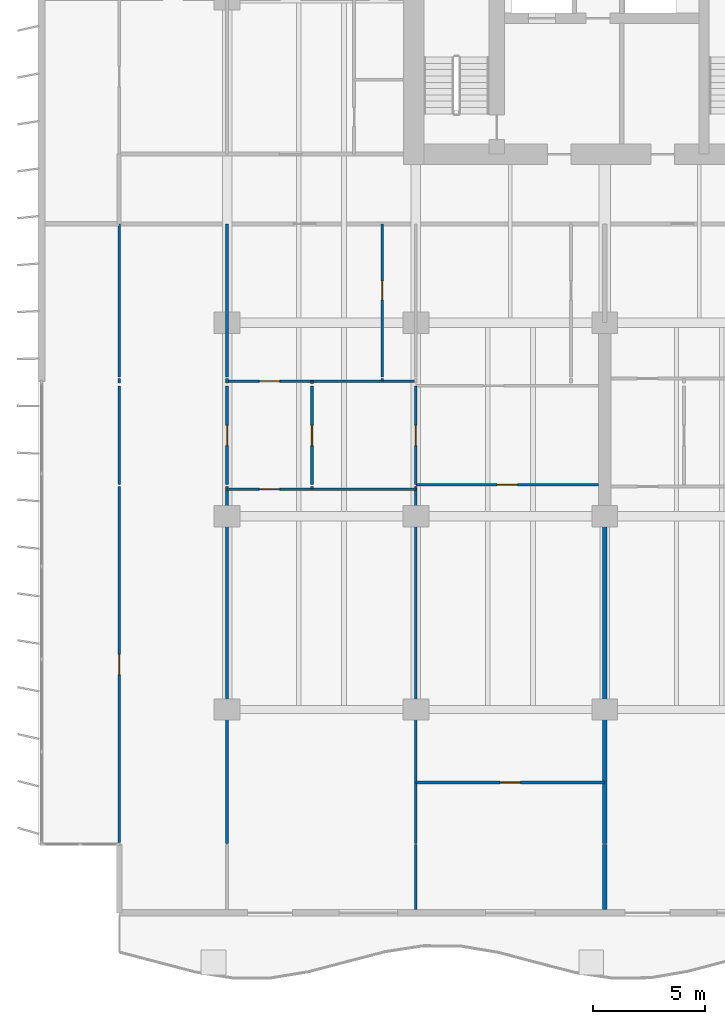
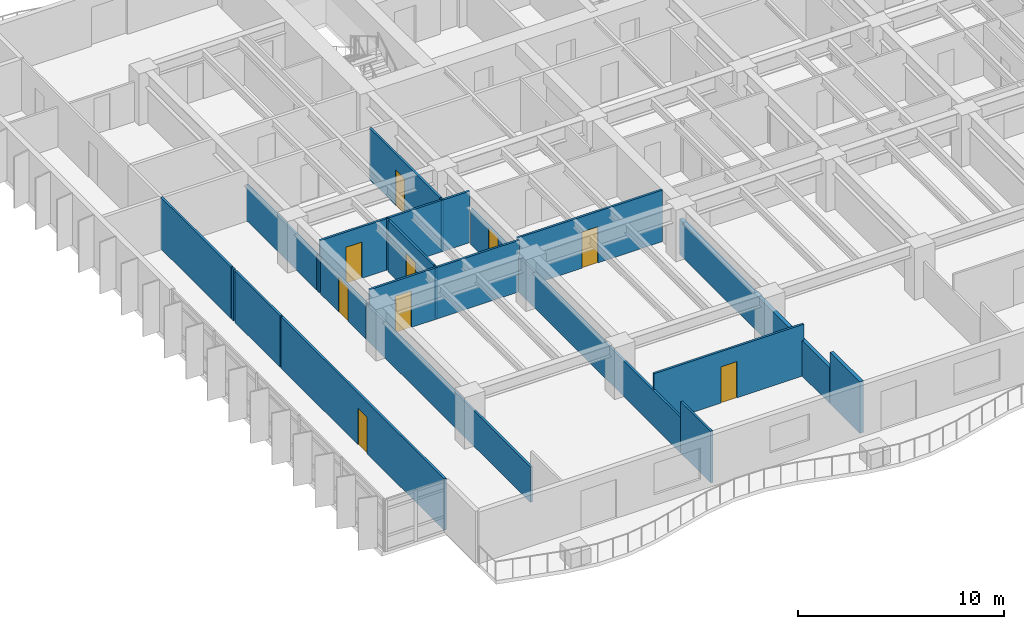
# One storey, part 6 of 17: 22 walls, 9 doors, 9 openings.
"""IFC4 building model written with IfcOpenShell, lengths in metres."""

from ifc_helpers import new_model, si_unit, direction, frame, frame_2d, origin, place, context, subcontext, project, spatial, rectangle, extrude, material, layer, layer_set, type_object, element, fill, save


model = new_model("IFC4")

# Units and contexts
model_context = context("Model", 3, precision=1e-05, world=origin(), true_north=direction((0.0, 1.0)))
body_context = subcontext(model_context, "Body", "Model", "MODEL_VIEW")
ifc_project = project(units=[si_unit("LENGTHUNIT", "METRE"), si_unit("AREAUNIT", "SQUARE_METRE"), si_unit("VOLUMEUNIT", "CUBIC_METRE"), si_unit("PLANEANGLEUNIT", "RADIAN"), si_unit("MASSUNIT", "GRAM", prefix="KILO")], contexts=[model_context])

# Site, building, storey
site_placement = place(None, origin())
site = spatial("IfcSite", under=ifc_project, at=site_placement, CompositionType="ELEMENT")
building_placement = place(site_placement, origin())
building = spatial("IfcBuilding", under=site, at=building_placement, Name="Caelmar Bay Residences", CompositionType="ELEMENT")
storey_placement = place(building_placement, frame((0.0, 0.0, 59.699951171875)))
storey = spatial("IfcBuildingStorey", under=building, at=storey_placement, Name="L15", CompositionType="ELEMENT", Elevation=59.699951171875)

# Wall, opening, door
ifc_material_1 = material(Name="Acoustic metal-stud gypsum partition 120 mm")
ifc_layer_1 = layer(ifc_material_1, 0.1201171875)
ifc_layer_set_1 = layer_set([ifc_layer_1], Name="Acoustic metal-stud gypsum partition 120 mm")
wall_type_1 = type_object("IfcWallType", Name="W-PRT-120", PredefinedType="PARTITIONING", material=ifc_layer_set_1)
wall_1_placement = place(storey_placement, frame((5.10009765625, 6.284912109375, 0.0), z_axis=(0.0, 0.0, 1.0), x_axis=(0.0, 1.0, 0.0)))
wall_1 = element("IfcWall", 1, at=wall_1_placement, inside=storey, type_object=wall_type_1, Name="L15 Partition Wall V001", PredefinedType="PARTITIONING", context=body_context, shape_type="SweptSolid", body=[
    extrude(rectangle(XDim=15.835205078125, YDim=0.1201171875, at=frame_2d((7.91748046875, 0.0))), origin(), (0.0, 0.0, 1.0), 3.050048828125),
])
opening_1_placement = place(wall_1_placement, frame((7.467529296875, 0.0, 0.0)))
opening_1 = element("IfcOpeningElement", 2, at=opening_1_placement, cuts=wall_1, Name="Opening D-L15-164", PredefinedType="OPENING", context=body_context, shape_type="SweptSolid", body=[
    extrude(rectangle(XDim=0.89990234375, YDim=2.14990234375, at=frame_2d((0.449951171875, 1.074951171875))), frame((0.0, 0.070068359375, 0.0), z_axis=(0.0, -1.0, 0.0), x_axis=(1.0, 0.0, 0.0)), (0.0, 0.0, 1.0), 0.14013671875),
])
ifc_material_2 = material(Name="Solid walnut timber interior door leaf and frame", Category="wood")
ifc_layer_2 = layer(ifc_material_2, 0.050048828125)
ifc_layer_set_2 = layer_set([ifc_layer_2], Name="Solid walnut timber interior door leaf and frame")
door_type_1 = type_object("IfcDoorType", Name="D-ROOM-900", OperationType="NOTDEFINED", PredefinedType="DOOR", material=ifc_layer_set_2)
door_1_placement = place(opening_1_placement, origin())
door_1 = element("IfcDoor", 3, at=door_1_placement, inside=storey, type_object=door_type_1, Name="L15 Residence 01 Penthouse West Salon Door", OperationType="SINGLE_SWING_LEFT", OverallHeight=2.14990234375, OverallWidth=0.89990234375, PredefinedType="DOOR", context=body_context, shape_type="SweptSolid", body=[
    extrude(rectangle(XDim=0.89990234375, YDim=2.14990234375, at=frame_2d((0.449951171875, 1.074951171875))), frame((0.0, 0.02490234375, 0.0), z_axis=(0.0, -1.0, 0.0), x_axis=(1.0, 0.0, 0.0)), (0.0, 0.0, 1.0), 0.050048828125),
])
fill(opening_1, door_1)

# Walls
wall_2_placement = place(storey_placement, frame((5.10009765625, 22.199951171875, 0.0), z_axis=(0.0, 0.0, 1.0), x_axis=(0.0, 1.0, 0.0)))
element("IfcWall", 4, at=wall_2_placement, inside=storey, type_object=wall_type_1, Name="L15 Partition Wall V002", PredefinedType="PARTITIONING", context=body_context, shape_type="SweptSolid", body=[
    extrude(rectangle(XDim=4.380126953125, YDim=0.1201171875, at=frame_2d((2.18994140625, 0.0))), origin(), (0.0, 0.0, 1.0), 3.050048828125),
])
wall_3_placement = place(storey_placement, frame((5.10009765625, 26.719970703125, 0.0), z_axis=(0.0, 0.0, 1.0), x_axis=(0.0, 1.0, 0.0)))
element("IfcWall", 5, at=wall_3_placement, inside=storey, type_object=wall_type_1, Name="L15 Partition Wall V003", PredefinedType="PARTITIONING", context=body_context, shape_type="SweptSolid", body=[
    extrude(rectangle(XDim=0.199951171875, YDim=0.1201171875, at=frame_2d((0.10009765625, 0.0))), origin(), (0.0, 0.0, 1.0), 3.050048828125),
])
wall_4_placement = place(storey_placement, frame((5.10009765625, 26.97998046875, 0.0), z_axis=(0.0, 0.0, 1.0), x_axis=(0.0, 1.0, 0.0)))
element("IfcWall", 6, at=wall_4_placement, inside=storey, type_object=wall_type_1, Name="L15 Partition Wall V004", PredefinedType="PARTITIONING", context=body_context, shape_type="SweptSolid", body=[
    extrude(rectangle(XDim=6.820068359375, YDim=0.1201171875, at=frame_2d((3.41015625, 0.0))), origin(), (0.0, 0.0, 1.0), 3.050048828125),
])
wall_5_placement = place(storey_placement, frame((9.89990234375, 6.239990234375, 0.0), z_axis=(0.0, 0.0, 1.0), x_axis=(0.0, 1.0, 0.0)))
element("IfcWall", 7, at=wall_5_placement, inside=storey, type_object=wall_type_1, Name="L15 Partition Wall V008", PredefinedType="PARTITIONING", context=body_context, shape_type="SweptSolid", body=[
    extrude(rectangle(XDim=15.880126953125, YDim=0.1201171875, at=frame_2d((7.93994140625, 0.0))), origin(), (0.0, 0.0, 1.0), 2.110107421875),
])

# Wall, opening, door
wall_6_placement = place(storey_placement, frame((9.89990234375, 22.199951171875, 0.0), z_axis=(0.0, 0.0, 1.0), x_axis=(0.0, 1.0, 0.0)))
wall_6 = element("IfcWall", 8, at=wall_6_placement, inside=storey, type_object=wall_type_1, Name="L15 Partition Wall V009", PredefinedType="PARTITIONING", context=body_context, shape_type="SweptSolid", body=[
    extrude(rectangle(XDim=4.380126953125, YDim=0.1201171875, at=frame_2d((2.18994140625, 0.0))), origin(), (0.0, 0.0, 1.0), 2.110107421875),
])
opening_2_placement = place(wall_6_placement, frame((1.739990234375, 0.0, 0.0)))
opening_2 = element("IfcOpeningElement", 9, at=opening_2_placement, cuts=wall_6, Name="Opening D-L15-131", PredefinedType="OPENING", context=body_context, shape_type="SweptSolid", body=[
    extrude(rectangle(XDim=0.89990234375, YDim=2.06005859375, at=frame_2d((0.449951171875, 1.030029296875))), frame((0.0, 0.070068359375, 0.0), z_axis=(0.0, -1.0, 0.0), x_axis=(1.0, 0.0, 0.0)), (0.0, 0.0, 1.0), 0.14013671875),
])
door_2_placement = place(opening_2_placement, origin())
door_2 = element("IfcDoor", 10, at=door_2_placement, inside=storey, type_object=door_type_1, Name="L15 Residence 01 West Apartment Hall Door", OperationType="SINGLE_SWING_RIGHT", OverallHeight=2.06005859375, OverallWidth=0.89990234375, PredefinedType="DOOR", context=body_context, shape_type="SweptSolid", body=[
    extrude(rectangle(XDim=0.89990234375, YDim=2.06005859375, at=frame_2d((0.449951171875, 1.030029296875))), frame((0.0, 0.02490234375, 0.0), z_axis=(0.0, -1.0, 0.0), x_axis=(1.0, 0.0, 0.0)), (0.0, 0.0, 1.0), 0.050048828125),
])
fill(opening_2, door_2)

# Walls
wall_7_placement = place(storey_placement, frame((9.89990234375, 26.719970703125, 0.0), z_axis=(0.0, 0.0, 1.0), x_axis=(0.0, 1.0, 0.0)))
element("IfcWall", 11, at=wall_7_placement, inside=storey, type_object=wall_type_1, Name="L15 Partition Wall V010", PredefinedType="PARTITIONING", context=body_context, shape_type="SweptSolid", body=[
    extrude(rectangle(XDim=0.199951171875, YDim=0.1201171875, at=frame_2d((0.10009765625, 0.0))), origin(), (0.0, 0.0, 1.0), 2.110107421875),
])
wall_8_placement = place(storey_placement, frame((9.89990234375, 26.97998046875, 0.0), z_axis=(0.0, 0.0, 1.0), x_axis=(0.0, 1.0, 0.0)))
element("IfcWall", 12, at=wall_8_placement, inside=storey, type_object=wall_type_1, Name="L15 Partition Wall V011", PredefinedType="PARTITIONING", context=body_context, shape_type="SweptSolid", body=[
    extrude(rectangle(XDim=6.820068359375, YDim=0.1201171875, at=frame_2d((3.41015625, 0.0))), origin(), (0.0, 0.0, 1.0), 2.110107421875),
])
wall_9_placement = place(storey_placement, frame((13.679931640625, 22.0, 0.0), z_axis=(0.0, 0.0, 1.0), x_axis=(0.0, 1.0, 0.0)))
element("IfcWall", 13, at=wall_9_placement, inside=storey, type_object=wall_type_1, Name="L15 Partition Wall V013", PredefinedType="PARTITIONING", context=body_context, shape_type="SweptSolid", body=[
    extrude(rectangle(XDim=0.1201171875, YDim=0.1201171875, at=frame_2d((0.06005859375, 0.0))), origin(), (0.0, 0.0, 1.0), 3.050048828125),
])

# Wall, opening, door
wall_10_placement = place(storey_placement, frame((13.679931640625, 22.199951171875, 0.0), z_axis=(0.0, 0.0, 1.0), x_axis=(0.0, 1.0, 0.0)))
wall_10 = element("IfcWall", 14, at=wall_10_placement, inside=storey, type_object=wall_type_1, Name="L15 Partition Wall V014", PredefinedType="PARTITIONING", context=body_context, shape_type="SweptSolid", body=[
    extrude(rectangle(XDim=4.380126953125, YDim=0.1201171875, at=frame_2d((2.18994140625, 0.0))), origin(), (0.0, 0.0, 1.0), 3.050048828125),
])
opening_3_placement = place(wall_10_placement, frame((1.739990234375, 0.0, 0.0)))
opening_3 = element("IfcOpeningElement", 15, at=opening_3_placement, cuts=wall_10, Name="Opening D-L15-124", PredefinedType="OPENING", context=body_context, shape_type="SweptSolid", body=[
    extrude(rectangle(XDim=0.89990234375, YDim=2.14990234375, at=frame_2d((0.449951171875, 1.074951171875))), frame((0.0, 0.070068359375, 0.0), z_axis=(0.0, -1.0, 0.0), x_axis=(1.0, 0.0, 0.0)), (0.0, 0.0, 1.0), 0.14013671875),
])
door_3_placement = place(opening_3_placement, origin())
door_3 = element("IfcDoor", 16, at=door_3_placement, inside=storey, type_object=door_type_1, Name="L15 Residence 01 Kitchen Door", OperationType="SINGLE_SWING_LEFT", OverallHeight=2.14990234375, OverallWidth=0.89990234375, PredefinedType="DOOR", context=body_context, shape_type="SweptSolid", body=[
    extrude(rectangle(XDim=0.89990234375, YDim=2.14990234375, at=frame_2d((0.449951171875, 1.074951171875))), frame((0.0, 0.02490234375, 0.0), z_axis=(0.0, -1.0, 0.0), x_axis=(1.0, 0.0, 0.0)), (0.0, 0.0, 1.0), 0.050048828125),
])
fill(opening_3, door_3)

# Walls
wall_11_placement = place(storey_placement, frame((13.679931640625, 26.719970703125, 0.0), z_axis=(0.0, 0.0, 1.0), x_axis=(0.0, 1.0, 0.0)))
element("IfcWall", 17, at=wall_11_placement, inside=storey, type_object=wall_type_1, Name="L15 Partition Wall V015", PredefinedType="PARTITIONING", context=body_context, shape_type="SweptSolid", body=[
    extrude(rectangle(XDim=0.080078125, YDim=0.1201171875, at=frame_2d((0.0400390625, 0.0))), origin(), (0.0, 0.0, 1.0), 3.050048828125),
])
wall_12_placement = place(storey_placement, frame((16.800048828125, 26.800048828125, 0.0), z_axis=(0.0, 0.0, 1.0), x_axis=(0.0, 1.0, 0.0)))
element("IfcWall", 18, at=wall_12_placement, inside=storey, type_object=wall_type_1, Name="L15 Partition Wall V017", PredefinedType="PARTITIONING", context=body_context, shape_type="SweptSolid", body=[
    extrude(rectangle(XDim=0.119873046875, YDim=0.1201171875, at=frame_2d((0.06005859375, 0.0))), origin(), (0.0, 0.0, 1.0), 3.050048828125),
])

# Wall, opening, door
wall_13_placement = place(storey_placement, frame((16.800048828125, 26.97998046875, 0.0), z_axis=(0.0, 0.0, 1.0), x_axis=(0.0, 1.0, 0.0)))
wall_13 = element("IfcWall", 19, at=wall_13_placement, inside=storey, type_object=wall_type_1, Name="L15 Partition Wall V018", PredefinedType="PARTITIONING", context=body_context, shape_type="SweptSolid", body=[
    extrude(rectangle(XDim=6.820068359375, YDim=0.1201171875, at=frame_2d((3.41015625, 0.0))), origin(), (0.0, 0.0, 1.0), 3.050048828125),
])
opening_4_placement = place(wall_13_placement, frame((3.43505859375, 0.0, 0.0)))
opening_4 = element("IfcOpeningElement", 20, at=opening_4_placement, cuts=wall_13, Name="Opening D-L15-122", PredefinedType="OPENING", context=body_context, shape_type="SweptSolid", body=[
    extrude(rectangle(XDim=0.85009765625, YDim=2.10009765625, at=frame_2d((0.425048828125, 1.050048828125))), frame((0.0, 0.070068359375, 0.0), z_axis=(0.0, -1.0, 0.0), x_axis=(1.0, 0.0, 0.0)), (0.0, 0.0, 1.0), 0.14013671875),
])
ifc_layer_3 = layer(ifc_material_2, 0.050048828125)
ifc_layer_set_3 = layer_set([ifc_layer_3], Name="Solid walnut timber interior door leaf and frame")
door_type_2 = type_object("IfcDoorType", Name="D-BATH-850", OperationType="NOTDEFINED", PredefinedType="DOOR", material=ifc_layer_set_3)
door_4_placement = place(opening_4_placement, origin())
door_4 = element("IfcDoor", 21, at=door_4_placement, inside=storey, type_object=door_type_2, Name="L15 Residence 01 Guest Bathroom Door", OperationType="SINGLE_SWING_LEFT", OverallHeight=2.10009765625, OverallWidth=0.85009765625, PredefinedType="DOOR", context=body_context, shape_type="SweptSolid", body=[
    extrude(rectangle(XDim=0.85009765625, YDim=2.10009765625, at=frame_2d((0.425048828125, 1.050048828125))), frame((0.0, 0.02490234375, 0.0), z_axis=(0.0, -1.0, 0.0), x_axis=(1.0, 0.0, 0.0)), (0.0, 0.0, 1.0), 0.050048828125),
])
fill(opening_4, door_4)

# Walls
wall_14_placement = place(storey_placement, frame((18.300048828125, 3.294921875, 0.0), z_axis=(0.0, 0.0, 1.0), x_axis=(0.0, 1.0, 0.0)))
element("IfcWall", 22, at=wall_14_placement, inside=storey, type_object=wall_type_1, Name="L15 Partition Wall V019", PredefinedType="PARTITIONING", context=body_context, shape_type="SweptSolid", body=[
    extrude(rectangle(XDim=2.905029296875, YDim=0.1201171875, at=frame_2d((1.45263671875, 0.0))), origin(), (0.0, 0.0, 1.0), 3.050048828125),
])
wall_15_placement = place(storey_placement, frame((18.300048828125, 6.239990234375, 0.0), z_axis=(0.0, 0.0, 1.0), x_axis=(0.0, 1.0, 0.0)))
element("IfcWall", 23, at=wall_15_placement, inside=storey, type_object=wall_type_1, Name="L15 Partition Wall V020", PredefinedType="PARTITIONING", context=body_context, shape_type="SweptSolid", body=[
    extrude(rectangle(XDim=15.880126953125, YDim=0.1201171875, at=frame_2d((7.93994140625, 0.0))), origin(), (0.0, 0.0, 1.0), 2.110107421875),
])

# Wall, opening, door
wall_16_placement = place(storey_placement, frame((18.300048828125, 22.199951171875, 0.0), z_axis=(0.0, 0.0, 1.0), x_axis=(0.0, 1.0, 0.0)))
wall_16 = element("IfcWall", 24, at=wall_16_placement, inside=storey, type_object=wall_type_1, Name="L15 Partition Wall V021", PredefinedType="PARTITIONING", context=body_context, shape_type="SweptSolid", body=[
    extrude(rectangle(XDim=4.380126953125, YDim=0.1201171875, at=frame_2d((2.18994140625, 0.0))), origin(), (0.0, 0.0, 1.0), 2.110107421875),
])
opening_5_placement = place(wall_16_placement, frame((1.739990234375, 0.0, 0.0)))
opening_5 = element("IfcOpeningElement", 25, at=opening_5_placement, cuts=wall_16, Name="Opening D-L15-126", PredefinedType="OPENING", context=body_context, shape_type="SweptSolid", body=[
    extrude(rectangle(XDim=0.89990234375, YDim=2.06005859375, at=frame_2d((0.449951171875, 1.030029296875))), frame((0.0, 0.070068359375, 0.0), z_axis=(0.0, -1.0, 0.0), x_axis=(1.0, 0.0, 0.0)), (0.0, 0.0, 1.0), 0.14013671875),
])
door_5_placement = place(opening_5_placement, origin())
door_5 = element("IfcDoor", 26, at=door_5_placement, inside=storey, type_object=door_type_1, Name="L15 Residence 01 Conference Study 1 Door", OperationType="SINGLE_SWING_LEFT", OverallHeight=2.06005859375, OverallWidth=0.89990234375, PredefinedType="DOOR", context=body_context, shape_type="SweptSolid", body=[
    extrude(rectangle(XDim=0.89990234375, YDim=2.06005859375, at=frame_2d((0.449951171875, 1.030029296875))), frame((0.0, 0.02490234375, 0.0), z_axis=(0.0, -1.0, 0.0), x_axis=(1.0, 0.0, 0.0)), (0.0, 0.0, 1.0), 0.050048828125),
])
fill(opening_5, door_5)

wall_17_placement = place(storey_placement, frame((18.300048828125, 8.949951171875, 0.0), z_axis=(0.0, 0.0, 1.0), x_axis=(1.0, 0.0, 0.0)))
wall_17 = element("IfcWall", 27, at=wall_17_placement, inside=storey, type_object=wall_type_1, Name="L15 Partition Wall H100", PredefinedType="PARTITIONING", context=body_context, shape_type="SweptSolid", body=[
    extrude(rectangle(XDim=8.39990234375, YDim=0.1201171875, at=frame_2d((4.199951171875, 0.0))), origin(), (0.0, 0.0, 1.0), 3.050048828125),
])
opening_6_placement = place(wall_17_placement, frame((3.75, 0.0, 0.0)))
opening_6 = element("IfcOpeningElement", 28, at=opening_6_placement, cuts=wall_17, Name="Opening D-L15-130", PredefinedType="OPENING", context=body_context, shape_type="SweptSolid", body=[
    extrude(rectangle(XDim=0.89990234375, YDim=2.14990234375, at=frame_2d((0.449951171875, 1.074951171875))), frame((0.0, 0.070068359375, 0.0), z_axis=(0.0, -1.0, 0.0), x_axis=(1.0, 0.0, 0.0)), (0.0, 0.0, 1.0), 0.14013671875),
])
door_6_placement = place(opening_6_placement, origin())
door_6 = element("IfcDoor", 29, at=door_6_placement, inside=storey, type_object=door_type_1, Name="L15 Residence 01 Primary Bedroom 1 Door", OperationType="SINGLE_SWING_LEFT", OverallHeight=2.14990234375, OverallWidth=0.89990234375, PredefinedType="DOOR", context=body_context, shape_type="SweptSolid", body=[
    extrude(rectangle(XDim=0.89990234375, YDim=2.14990234375, at=frame_2d((0.449951171875, 1.074951171875))), frame((0.0, 0.02490234375, 0.0), z_axis=(0.0, -1.0, 0.0), x_axis=(1.0, 0.0, 0.0)), (0.0, 0.0, 1.0), 0.050048828125),
])
fill(opening_6, door_6)

wall_18_placement = place(storey_placement, frame((9.89990234375, 22.0, 0.0), z_axis=(0.0, 0.0, 1.0), x_axis=(1.0, 0.0, 0.0)))
wall_18 = element("IfcWall", 30, at=wall_18_placement, inside=storey, type_object=wall_type_1, Name="L15 Partition Wall H108", PredefinedType="PARTITIONING", context=body_context, shape_type="SweptSolid", body=[
    extrude(rectangle(XDim=8.400146484375, YDim=0.1201171875, at=frame_2d((4.2001953125, 0.0))), origin(), (0.0, 0.0, 1.0), 3.050048828125),
])
opening_7_placement = place(wall_18_placement, frame((1.43994140625, 0.0, 0.0)))
opening_7 = element("IfcOpeningElement", 31, at=opening_7_placement, cuts=wall_18, Name="Opening D-L15-125", PredefinedType="OPENING", context=body_context, shape_type="SweptSolid", body=[
    extrude(rectangle(XDim=0.89990234375, YDim=2.14990234375, at=frame_2d((0.449951171875, 1.074951171875))), frame((0.0, 0.070068359375, 0.0), z_axis=(0.0, -1.0, 0.0), x_axis=(1.0, 0.0, 0.0)), (0.0, 0.0, 1.0), 0.14013671875),
])
door_7_placement = place(opening_7_placement, origin())
door_7 = element("IfcDoor", 32, at=door_7_placement, inside=storey, type_object=door_type_1, Name="L15 Residence 01 Penthouse Living Salon Door", OperationType="SINGLE_SWING_RIGHT", OverallHeight=2.14990234375, OverallWidth=0.89990234375, PredefinedType="DOOR", context=body_context, shape_type="SweptSolid", body=[
    extrude(rectangle(XDim=0.89990234375, YDim=2.14990234375, at=frame_2d((0.449951171875, 1.074951171875))), frame((0.0, 0.02490234375, 0.0), z_axis=(0.0, -1.0, 0.0), x_axis=(1.0, 0.0, 0.0)), (0.0, 0.0, 1.0), 0.050048828125),
])
fill(opening_7, door_7)

wall_19_placement = place(storey_placement, frame((18.304931640625, 22.199951171875, 0.0), z_axis=(0.0, 0.0, 1.0), x_axis=(1.0, 0.0, 0.0)))
wall_19 = element("IfcWall", 33, at=wall_19_placement, inside=storey, type_object=wall_type_1, Name="L15 Partition Wall H110", PredefinedType="PARTITIONING", context=body_context, shape_type="SweptSolid", body=[
    extrude(rectangle(XDim=8.125, YDim=0.1201171875, at=frame_2d((4.0625, 0.0))), origin(), (0.0, 0.0, 1.0), 3.050048828125),
])
opening_8_placement = place(wall_19_placement, frame((3.612548828125, 0.0, 0.0)))
opening_8 = element("IfcOpeningElement", 34, at=opening_8_placement, cuts=wall_19, Name="Opening D-L15-129", PredefinedType="OPENING", context=body_context, shape_type="SweptSolid", body=[
    extrude(rectangle(XDim=0.89990234375, YDim=2.14990234375, at=frame_2d((0.449951171875, 1.074951171875))), frame((0.0, 0.070068359375, 0.0), z_axis=(0.0, -1.0, 0.0), x_axis=(1.0, 0.0, 0.0)), (0.0, 0.0, 1.0), 0.14013671875),
])
door_8_placement = place(opening_8_placement, origin())
door_8 = element("IfcDoor", 35, at=door_8_placement, inside=storey, type_object=door_type_1, Name="L15 Residence 01 Penthouse Sitting Salon 1 Door", OperationType="SINGLE_SWING_RIGHT", OverallHeight=2.14990234375, OverallWidth=0.89990234375, PredefinedType="DOOR", context=body_context, shape_type="SweptSolid", body=[
    extrude(rectangle(XDim=0.89990234375, YDim=2.14990234375, at=frame_2d((0.449951171875, 1.074951171875))), frame((0.0, 0.02490234375, 0.0), z_axis=(0.0, -1.0, 0.0), x_axis=(1.0, 0.0, 0.0)), (0.0, 0.0, 1.0), 0.050048828125),
])
fill(opening_8, door_8)

wall_20_placement = place(storey_placement, frame((9.89990234375, 26.800048828125, 0.0), z_axis=(0.0, 0.0, 1.0), x_axis=(1.0, 0.0, 0.0)))
wall_20 = element("IfcWall", 36, at=wall_20_placement, inside=storey, type_object=wall_type_1, Name="L15 Partition Wall H116", PredefinedType="PARTITIONING", context=body_context, shape_type="SweptSolid", body=[
    extrude(rectangle(XDim=8.39501953125, YDim=0.1201171875, at=frame_2d((4.197509765625, 0.0))), origin(), (0.0, 0.0, 1.0), 3.050048828125),
])
opening_9_placement = place(wall_20_placement, frame((1.43994140625, 0.0, 0.0)))
opening_9 = element("IfcOpeningElement", 37, at=opening_9_placement, cuts=wall_20, Name="Opening D-L15-123", PredefinedType="OPENING", context=body_context, shape_type="SweptSolid", body=[
    extrude(rectangle(XDim=0.89990234375, YDim=2.14990234375, at=frame_2d((0.449951171875, 1.074951171875))), frame((0.0, 0.070068359375, 0.0), z_axis=(0.0, -1.0, 0.0), x_axis=(1.0, 0.0, 0.0)), (0.0, 0.0, 1.0), 0.14013671875),
])
door_9_placement = place(opening_9_placement, origin())
door_9 = element("IfcDoor", 38, at=door_9_placement, inside=storey, type_object=door_type_1, Name="L15 Residence 01 Dining Room Door", OperationType="SINGLE_SWING_RIGHT", OverallHeight=2.14990234375, OverallWidth=0.89990234375, PredefinedType="DOOR", context=body_context, shape_type="SweptSolid", body=[
    extrude(rectangle(XDim=0.89990234375, YDim=2.14990234375, at=frame_2d((0.449951171875, 1.074951171875))), frame((0.0, 0.02490234375, 0.0), z_axis=(0.0, -1.0, 0.0), x_axis=(1.0, 0.0, 0.0)), (0.0, 0.0, 1.0), 0.050048828125),
])
fill(opening_9, door_9)

# Walls
ifc_material_3 = material(Name="Acoustic twin-stud fire-rated inter-tenancy partition 200 mm")
ifc_layer_4 = layer(ifc_material_3, 0.199951171875)
ifc_layer_set_4 = layer_set([ifc_layer_4], Name="Acoustic twin-stud fire-rated inter-tenancy partition 200 mm")
wall_type_2 = type_object("IfcWallType", Name="W-PTY-200", PredefinedType="PARTITIONING", material=ifc_layer_set_4)
wall_21_placement = place(storey_placement, frame((26.699951171875, 3.294921875, 0.0), z_axis=(0.0, 0.0, 1.0), x_axis=(0.0, 1.0, 0.0)))
element("IfcWall", 39, at=wall_21_placement, inside=storey, type_object=wall_type_2, Name="L15 Partition Wall V028", PredefinedType="PARTITIONING", context=body_context, shape_type="SweptSolid", body=[
    extrude(rectangle(XDim=2.905029296875, YDim=0.199951171875, at=frame_2d((1.45263671875, 0.0))), origin(), (0.0, 0.0, 1.0), 3.050048828125),
])
wall_22_placement = place(storey_placement, frame((26.699951171875, 6.239990234375, 0.0), z_axis=(0.0, 0.0, 1.0), x_axis=(0.0, 1.0, 0.0)))
element("IfcWall", 40, at=wall_22_placement, inside=storey, type_object=wall_type_2, Name="L15 Partition Wall V029", PredefinedType="PARTITIONING", context=body_context, shape_type="SweptSolid", body=[
    extrude(rectangle(XDim=14.554931640625, YDim=0.199951171875, at=frame_2d((7.27734375, 0.0))), origin(), (0.0, 0.0, 1.0), 2.110107421875),
])

save(model, "model.ifc")
